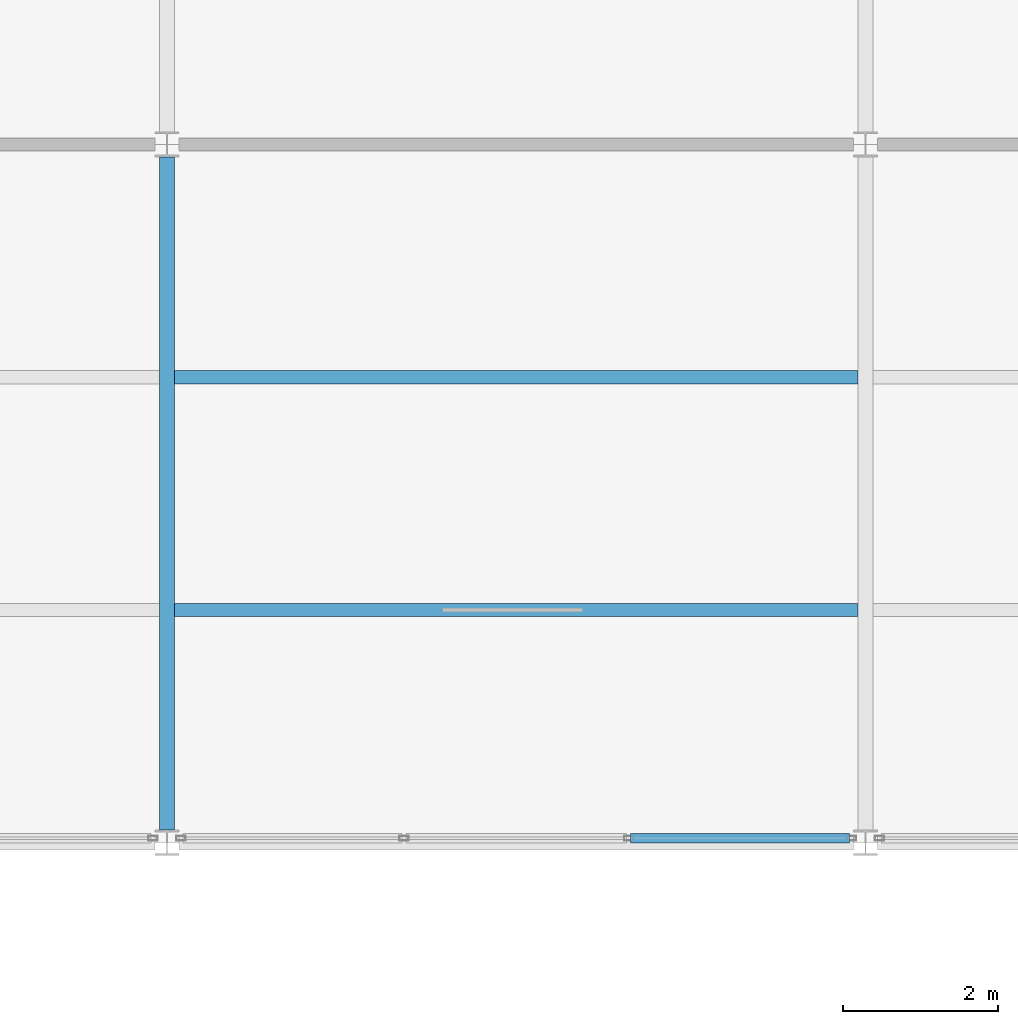
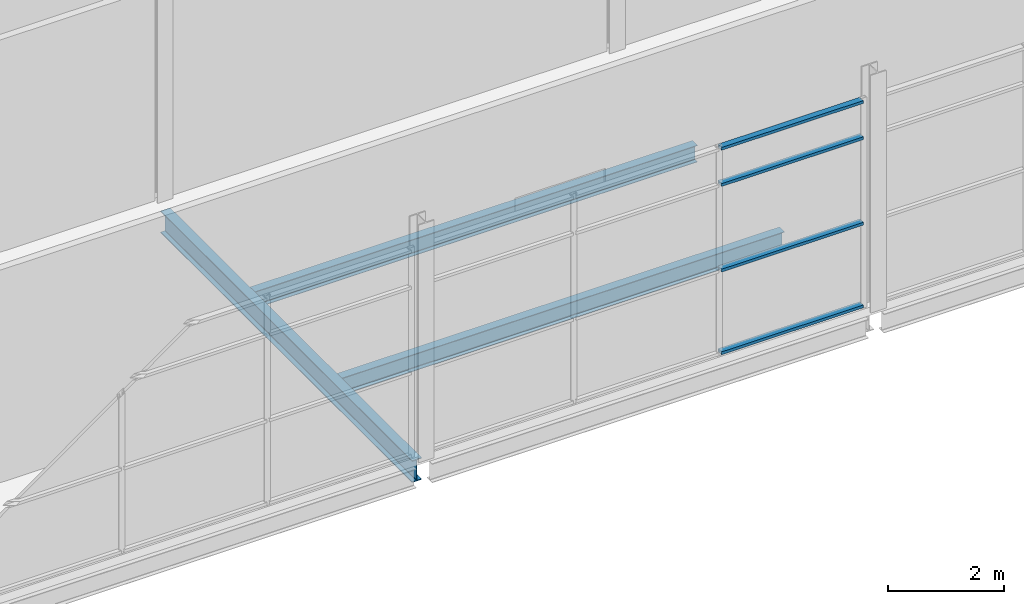
# One storey, part 47 of 112: 4 members, 3 beams, 1 element without a shape of its own.
"""IFC4 building model written with IfcOpenShell, lengths in metres."""

from ifc_helpers import new_model, si_unit, direction, frame, origin, origin_2d, place, context, subcontext, project, spatial, hollow_rectangle, i_section, extrude, material, layer, layer_set, material_profile, profile_set, type_object, element, aggregate, save


model = new_model("IFC4")

# Units and contexts
model_context = context("Model", 3, precision=1e-05, world=origin(), true_north=direction((0.0, 1.0)))
body_context = subcontext(model_context, "Body", "Model", "MODEL_VIEW")
ifc_project = project(units=[si_unit("LENGTHUNIT", "METRE"), si_unit("AREAUNIT", "SQUARE_METRE"), si_unit("VOLUMEUNIT", "CUBIC_METRE"), si_unit("PLANEANGLEUNIT", "RADIAN"), si_unit("MASSUNIT", "GRAM", prefix="KILO")], contexts=[model_context])

# Site, building, storey
site_placement = place(None, origin())
site = spatial("IfcSite", under=ifc_project, at=site_placement, CompositionType="ELEMENT")
building_placement = place(site_placement, origin())
building = spatial("IfcBuilding", under=site, at=building_placement, Name="Shorebreak Coast Museum", CompositionType="ELEMENT")
storey_placement = place(building_placement, frame((0.0, 0.0, 6.0)))
storey = spatial("IfcBuildingStorey", under=building, at=storey_placement, Name="L01", CompositionType="ELEMENT", Elevation=6.0)

# Beams
ifc_material_1 = material(Name="Steel Grade 300", Category="steel")
ifc_material_profile_1 = material_profile(ifc_material_1, i_section(OverallWidth=0.19091796875, OverallDepth=0.46044921875, WebThickness=0.010009765625, FlangeThickness=0.01611328125, FilletRadius=0.011474609375, at=origin_2d()), Name="460UB82.1")
ifc_profile_set_1 = profile_set([ifc_material_profile_1], Name="Steel Grade 300")
beam_type_1 = type_object("IfcBeamType", Name="Floor girder north-south 460UB82.1", PredefinedType="BEAM", material=ifc_profile_set_1)
beam_placement = place(storey_placement, frame((81.0, 81.16357421875, -0.4052734375), z_axis=(0.0, 1.0, 0.0), x_axis=(-1.0, 0.0, 0.0)))
element("IfcBeam", 1, at=beam_placement, inside=storey, type_object=beam_type_1, Name="Floor girder north-south L01 10K", PredefinedType="BEAM", context=body_context, shape_type="SweptSolid", body=[
    extrude(i_section(OverallWidth=0.19091796875, OverallDepth=0.46044921875, WebThickness=0.010009765625, FlangeThickness=0.01611328125, FilletRadius=0.011474609375, at=origin_2d()), origin(), (0.0, 0.0, 1.0), 8.6728515625),
])
ifc_material_2 = material(Name="Steel Grade 300", Category="steel")
ifc_material_profile_2 = material_profile(ifc_material_2, i_section(OverallWidth=0.1708984375, OverallDepth=0.35205078125, WebThickness=0.0068359375, FlangeThickness=0.009765625, FilletRadius=0.011474609375, at=origin_2d()), Name="360UB44.7")
ifc_profile_set_2 = profile_set([ifc_material_profile_2], Name="Steel Grade 300")
beam_type_2 = type_object("IfcBeamType", Name="Floor joist 360UB44.7", PredefinedType="JOIST", material=ifc_profile_set_2)
for number, where, z_axis, x_axis, name in (
    (2, (81.095458984375, 84.0, -0.35107421875), (1.0, 0.0, 0.0), (0.0, 1.0, 0.0), "Floor joist L01 bay 10K at 3000 mm"),
    (3, (81.095458984375, 87.0, -0.35107421875), (1.0, 0.0, 0.0), (0.0, 1.0, 0.0), "Floor joist L01 bay 10K at 6000 mm"),
):
    element("IfcBeam", number, at=place(storey_placement, frame(where, z_axis=z_axis, x_axis=x_axis)), inside=storey, type_object=beam_type_2, Name=name, PredefinedType="JOIST", context=body_context, shape_type="SweptSolid", body=[
        extrude(i_section(OverallWidth=0.1708984375, OverallDepth=0.35205078125, WebThickness=0.0068359375, FlangeThickness=0.009765625, FilletRadius=0.011474609375, at=origin_2d()), origin(), (0.0, 0.0, 1.0), 8.80908203125),
    ])

# Curtain wall, members
ifc_material_3 = material(Name="Aluminium", Category="aluminium")
ifc_layer = layer(ifc_material_3, 0.1201171875)
ifc_layer_set = layer_set([ifc_layer], Name="Aluminium")
curtain_wall_type = type_object("IfcCurtainWallType", Name="Atrium fire screen", PredefinedType="NOTDEFINED", material=ifc_layer_set)
curtain_wall_placement = place(storey_placement, origin())
curtain_wall = element("IfcCurtainWall", 4, at=curtain_wall_placement, inside=storey, type_object=curtain_wall_type, Name="Atrium screen L01 N 9", PredefinedType="NOTDEFINED")
ifc_material_4 = material(Name="Aluminium", Category="aluminium")
ifc_material_profile_3 = material_profile(ifc_material_4, hollow_rectangle(XDim=0.1201171875, YDim=0.06005859375, WallThickness=0.00341796875, at=origin_2d()), Name="AL 60x120 RHS")
ifc_profile_set_3 = profile_set([ifc_material_profile_3], Name="Aluminium")
member_type = type_object("IfcMemberType", Name="Screen transom 120 x 50", PredefinedType="USERDEFINED", material=ifc_profile_set_3)
member_1_placement = place(storey_placement, frame((86.97314453125, 81.06005859375, 0.06005859375), z_axis=(1.0, 0.0, 0.0), x_axis=(0.0, 1.0, 0.0)))
member_1 = element("IfcMember", 5, at=member_1_placement, type_object=member_type, Name="CW4 transom 3.1", ObjectType="TRANSOM", PredefinedType="USERDEFINED", context=body_context, shape_type="SweptSolid", body=[
    extrude(hollow_rectangle(XDim=0.1201171875, YDim=0.06005859375, WallThickness=0.00341796875, at=origin_2d()), origin(), (0.0, 0.0, 1.0), 2.8212890625),
])
member_2_placement = place(storey_placement, frame((86.97314453125, 81.06005859375, 1.800048828125), z_axis=(1.0, 0.0, 0.0), x_axis=(0.0, 1.0, 0.0)))
member_2 = element("IfcMember", 6, at=member_2_placement, type_object=member_type, Name="CW4 transom 3.2", ObjectType="TRANSOM", PredefinedType="USERDEFINED", context=body_context, shape_type="SweptSolid", body=[
    extrude(hollow_rectangle(XDim=0.1201171875, YDim=0.06005859375, WallThickness=0.00341796875, at=origin_2d()), origin(), (0.0, 0.0, 1.0), 2.8212890625),
])
member_3_placement = place(storey_placement, frame((86.97314453125, 81.06005859375, 3.60009765625), z_axis=(1.0, 0.0, 0.0), x_axis=(0.0, 1.0, 0.0)))
member_3 = element("IfcMember", 7, at=member_3_placement, type_object=member_type, Name="CW4 transom 3.3", ObjectType="TRANSOM", PredefinedType="USERDEFINED", context=body_context, shape_type="SweptSolid", body=[
    extrude(hollow_rectangle(XDim=0.1201171875, YDim=0.06005859375, WallThickness=0.00341796875, at=origin_2d()), origin(), (0.0, 0.0, 1.0), 2.8212890625),
])
member_4_placement = place(storey_placement, frame((86.97314453125, 81.06005859375, 4.3623046875), z_axis=(1.0, 0.0, 0.0), x_axis=(0.0, 1.0, 0.0)))
member_4 = element("IfcMember", 8, at=member_4_placement, type_object=member_type, Name="CW4 transom 3.4", ObjectType="TRANSOM", PredefinedType="USERDEFINED", context=body_context, shape_type="SweptSolid", body=[
    extrude(hollow_rectangle(XDim=0.1201171875, YDim=0.06005859375, WallThickness=0.00341796875, at=origin_2d()), origin(), (0.0, 0.0, 1.0), 2.8212890625),
])
aggregate(curtain_wall, [member_1, member_2, member_3, member_4])

save(model, "model.ifc")
